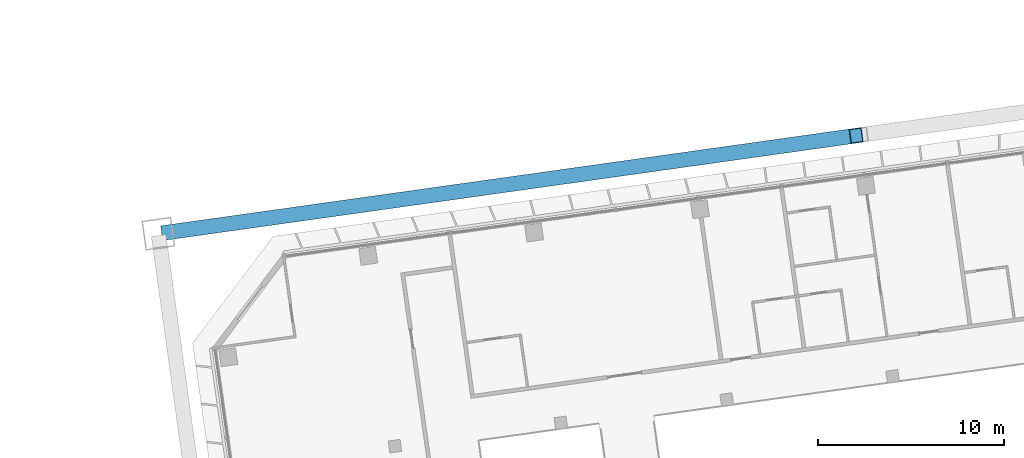
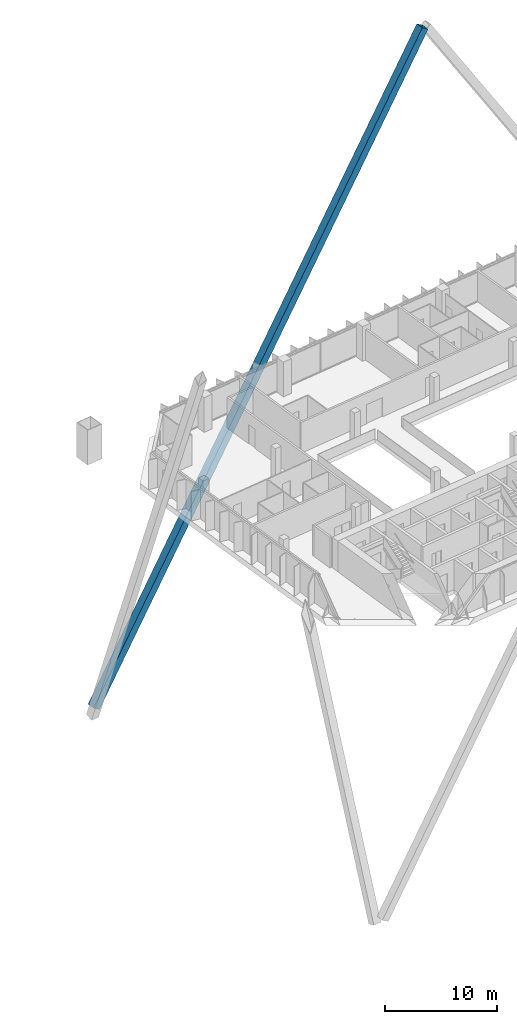
# One storey, part 22 of 41: 1 member.
"""IFC4 building model written with IfcOpenShell, lengths in metres."""

from ifc_helpers import new_model, si_unit, direction, frame, origin, origin_2d, place, context, subcontext, project, spatial, hollow_rectangle, extrude, material, material_profile, profile_set, type_object, element, save


model = new_model("IFC4")

# Units and contexts
model_context = context("Model", 3, precision=1e-05, world=origin(), true_north=direction((0.0, 1.0)))
body_context = subcontext(model_context, "Body", "Model", "MODEL_VIEW")
ifc_project = project(units=[si_unit("LENGTHUNIT", "METRE"), si_unit("AREAUNIT", "SQUARE_METRE"), si_unit("VOLUMEUNIT", "CUBIC_METRE"), si_unit("PLANEANGLEUNIT", "RADIAN"), si_unit("MASSUNIT", "GRAM", prefix="KILO")], contexts=[model_context])

# Site, building, storey
site_placement = place(None, origin())
site = spatial("IfcSite", under=ifc_project, at=site_placement, CompositionType="ELEMENT")
building_placement = place(site_placement, origin())
building = spatial("IfcBuilding", under=site, at=building_placement, Name="Mirante Cascada Hotel Towers", CompositionType="ELEMENT")
storey_placement = place(building_placement, frame((0.0, 0.0, 125.3)))
storey = spatial("IfcBuildingStorey", under=building, at=storey_placement, Name="L28", CompositionType="ELEMENT", Elevation=125.3)

# Member
ifc_material = material(Name="Steel ASTM A572 Gr 50", Category="steel")
ifc_material_profile = material_profile(ifc_material, hollow_rectangle(XDim=0.8, YDim=0.8, WallThickness=0.04, at=origin_2d()), Name="Box brace 800x800x40 ASTM A572 Gr 50")
ifc_profile_set = profile_set([ifc_material_profile], Name="Steel ASTM A572 Gr 50")
member_type = type_object("IfcMemberType", Name="Box brace 800x800x40 ASTM A572 Gr 50", PredefinedType="BRACE", material=ifc_profile_set)
member_placement = place(storey_placement, frame((25.6051, 18.5887, -27.4172), z_axis=(0.5344768, 0.0751163, 0.8418385), x_axis=(-0.1391741, 0.9902679, 0.0)))
element("IfcMember", 1, at=member_placement, inside=storey, type_object=member_type, Name="brace T2 L28 1", PredefinedType="BRACE", context=body_context, shape_type="SweptSolid", body=[
    extrude(hollow_rectangle(XDim=0.8, YDim=0.8, WallThickness=0.04, at=origin_2d()), origin(), (0.0, 0.0, 1.0), 69.1953),
])

save(model, "model.ifc")
